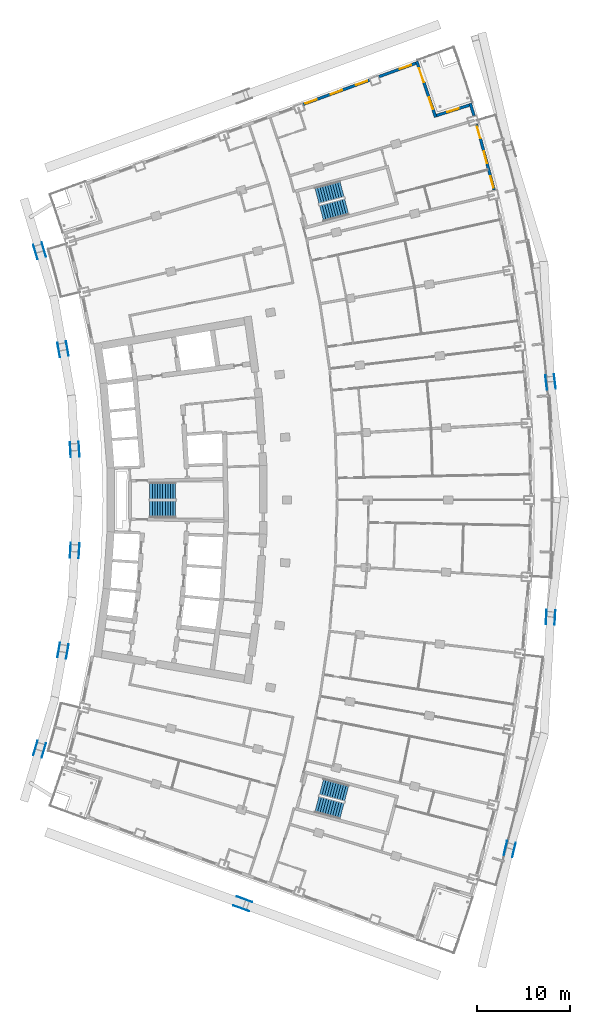
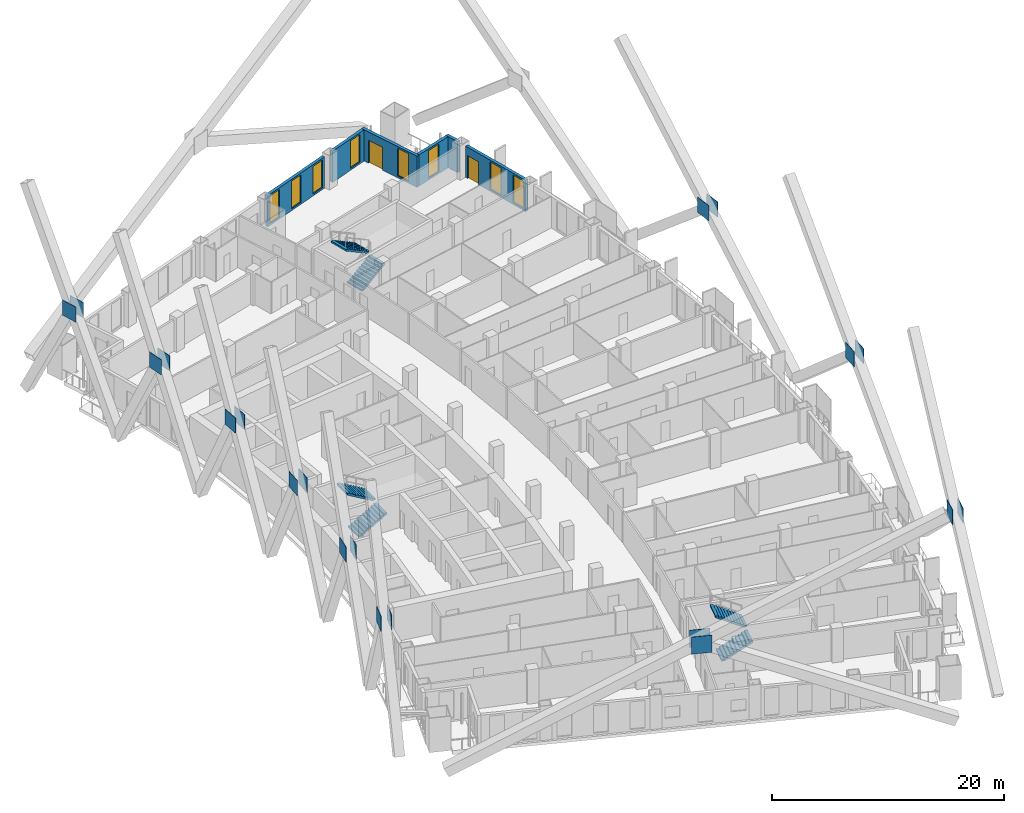
# One storey, part 22 of 26: 20 discrete accessories, 8 windows, 6 stair flights, 6 walls, 2 doors, 10 openings, 3 elements without a shape of their own.
"""IFC4 building model written with IfcOpenShell, lengths in metres."""

from ifc_helpers import new_model, si_unit, direction, frame, frame_2d, origin, origin_2d, place, context, subcontext, project, spatial, polyline, rectangle, outline, extrude, material, layer, layer_set, material_profile, profile_set, type_object, element, fill, aggregate, save


model = new_model("IFC4")

# Units and contexts
model_context = context("Model", 3, precision=1e-05, world=origin(), true_north=direction((0.0, 1.0)))
body_context = subcontext(model_context, "Body", "Model", "MODEL_VIEW")
ifc_project = project(units=[si_unit("LENGTHUNIT", "METRE"), si_unit("AREAUNIT", "SQUARE_METRE"), si_unit("VOLUMEUNIT", "CUBIC_METRE"), si_unit("PLANEANGLEUNIT", "RADIAN"), si_unit("MASSUNIT", "GRAM", prefix="KILO")], contexts=[model_context])

# Site, building, storey
site_placement = place(None, origin())
site = spatial("IfcSite", under=ifc_project, at=site_placement, CompositionType="ELEMENT")
building_placement = place(site_placement, origin())
building = spatial("IfcBuilding", under=site, at=building_placement, Name="Alderwake Tower", CompositionType="ELEMENT")
storey_placement = place(building_placement, frame((0.0, 0.0, 82.39990234375)))
storey = spatial("IfcBuildingStorey", under=building, at=storey_placement, Name="L19", CompositionType="ELEMENT", Elevation=82.39990234375)

# Wall, openings, door, windows
ifc_material_1 = material(Name="Precast concrete C50/60 spandrel panel", Category="concrete")
ifc_layer_1 = layer(ifc_material_1, 0.300048828125)
ifc_layer_set_1 = layer_set([ifc_layer_1], Name="External wall EW1 Precast concrete C50/60 spandrel")
wall_type_1 = type_object("IfcWallType", Name="External wall EW1 Precast concrete C50/60 spandrel", PredefinedType="SOLIDWALL", material=ifc_layer_set_1)
wall_1_placement = place(storey_placement, frame((58.071044921875, 94.326904296875, 0.0), z_axis=(0.0, 0.0, 1.0), x_axis=(-0.259478431082, 0.965748903082, 0.0)))
wall_1 = element("IfcWall", 1, at=wall_1_placement, inside=storey, type_object=wall_type_1, Name="External wall 21", PredefinedType="SOLIDWALL", context=body_context, shape_type="SweptSolid", body=[
    extrude(rectangle(XDim=7.287109375, YDim=0.300048828125, at=frame_2d((3.6435546875, 0.0))), origin(), (0.0, 0.0, 1.0), 3.280029296875),
])
opening_1_placement = place(wall_1_placement, frame((0.23681640625, 0.0, 0.199951171875)))
opening_1 = element("IfcOpeningElement", 2, at=opening_1_placement, cuts=wall_1, Name="Opening W1", PredefinedType="OPENING", context=body_context, shape_type="SweptSolid", body=[
    extrude(rectangle(XDim=1.300048828125, YDim=2.89990234375, at=frame_2d((0.64990234375, 1.449951171875))), frame((0.0, 0.159912109375, 0.0), z_axis=(0.0, -1.0, 0.0), x_axis=(1.0, 0.0, 0.0)), (0.0, 0.0, 1.0), 0.320068359375),
])
opening_2_placement = place(wall_1_placement, frame((2.99365234375, 0.0, 0.199951171875)))
opening_2 = element("IfcOpeningElement", 3, at=opening_2_placement, cuts=wall_1, Name="Opening W1", PredefinedType="OPENING", context=body_context, shape_type="SweptSolid", body=[
    extrude(rectangle(XDim=1.300048828125, YDim=2.89990234375, at=frame_2d((0.64990234375, 1.449951171875))), frame((0.0, 0.159912109375, 0.0), z_axis=(0.0, -1.0, 0.0), x_axis=(1.0, 0.0, 0.0)), (0.0, 0.0, 1.0), 0.320068359375),
])
opening_3_placement = place(wall_1_placement, frame((5.75048828125, 0.0, 0.0)))
opening_3 = element("IfcOpeningElement", 4, at=opening_3_placement, cuts=wall_1, Name="Opening D11", PredefinedType="OPENING", context=body_context, shape_type="SweptSolid", body=[
    extrude(rectangle(XDim=1.300048828125, YDim=2.39990234375, at=frame_2d((0.64990234375, 1.199951171875))), frame((0.0, 0.159912109375, 0.0), z_axis=(0.0, -1.0, 0.0), x_axis=(1.0, 0.0, 0.0)), (0.0, 0.0, 1.0), 0.320068359375),
])
ifc_material_2 = material(Name="Bronze tinted glass in aluminium frame", Category="aluminium")
door_type_1 = type_object("IfcDoorType", Name="Balcony door BD sliding", OperationType="SLIDING_TO_LEFT", PredefinedType="DOOR", material=ifc_material_2)
door_1_placement = place(opening_3_placement, origin())
door_1 = element("IfcDoor", 5, at=door_1_placement, inside=storey, type_object=door_type_1, Name="Door D11", OperationType="SLIDING_TO_LEFT", OverallHeight=2.39990234375, OverallWidth=1.300048828125, PredefinedType="DOOR", context=body_context, shape_type="SweptSolid", body=[
    extrude(rectangle(XDim=1.300048828125, YDim=2.39990234375, at=frame_2d((0.64990234375, 1.199951171875))), frame((0.0, 0.02490234375, 0.0), z_axis=(0.0, -1.0, 0.0), x_axis=(1.0, 0.0, 0.0)), (0.0, 0.0, 1.0), 0.050048828125),
])
fill(opening_3, door_1)
ifc_material_3 = material(Name="Bronze tinted glass in aluminium frame", Category="aluminium")
window_type = type_object("IfcWindowType", Name="Window W1 tall fixed and vent", PartitioningType="DOUBLE_PANEL_VERTICAL", PredefinedType="WINDOW", material=ifc_material_3)
window_1_placement = place(opening_1_placement, origin())
window_1 = element("IfcWindow", 6, at=window_1_placement, inside=storey, type_object=window_type, Name="Window W1 tall fixed and vent", OverallHeight=2.89990234375, OverallWidth=1.300048828125, PartitioningType="DOUBLE_PANEL_VERTICAL", PredefinedType="WINDOW", context=body_context, shape_type="SweptSolid", body=[
    extrude(rectangle(XDim=1.300048828125, YDim=2.89990234375, at=frame_2d((0.64990234375, 1.449951171875))), frame((0.0, 0.030029296875, 0.0), z_axis=(0.0, -1.0, 0.0), x_axis=(1.0, 0.0, 0.0)), (0.0, 0.0, 1.0), 0.06005859375),
])
fill(opening_1, window_1)
window_2_placement = place(opening_2_placement, origin())
window_2 = element("IfcWindow", 7, at=window_2_placement, inside=storey, type_object=window_type, Name="Window W1 tall fixed and vent", OverallHeight=2.89990234375, OverallWidth=1.300048828125, PartitioningType="DOUBLE_PANEL_VERTICAL", PredefinedType="WINDOW", context=body_context, shape_type="SweptSolid", body=[
    extrude(rectangle(XDim=1.300048828125, YDim=2.89990234375, at=frame_2d((0.64990234375, 1.449951171875))), frame((0.0, 0.030029296875, 0.0), z_axis=(0.0, -1.0, 0.0), x_axis=(1.0, 0.0, 0.0)), (0.0, 0.0, 1.0), 0.06005859375),
])
fill(opening_2, window_2)

# Wall
wall_2_placement = place(storey_placement, frame((55.908935546875, 102.305908203125, 0.0), z_axis=(0.0, 0.0, 1.0), x_axis=(-0.294394228908, 0.955684068082, 0.0)))
element("IfcWall", 8, at=wall_2_placement, inside=storey, type_object=wall_type_1, Name="External wall 22", PredefinedType="SOLIDWALL", context=body_context, shape_type="SweptSolid", body=[
    extrude(rectangle(XDim=1.390625, YDim=0.300048828125, at=frame_2d((0.6953125, 0.0))), origin(), (0.0, 0.0, 1.0), 3.280029296875),
])

# Wall, opening, window
ifc_material_4 = material(Name="Bronze metal cladding on lightweight framing")
ifc_layer_2 = layer(ifc_material_4, 0.300048828125)
ifc_layer_set_2 = layer_set([ifc_layer_2], Name="External wall EW2 bronze metal cladding")
wall_type_2 = type_object("IfcWallType", Name="External wall EW2 bronze metal cladding", PredefinedType="SOLIDWALL", material=ifc_layer_set_2)
wall_3_placement = place(storey_placement, frame((55.400634765625, 103.4462890625, 0.0), z_axis=(0.0, 0.0, 1.0), x_axis=(-0.953472737628, -0.301479250697, 0.0)))
wall_3 = element("IfcWall", 9, at=wall_3_placement, inside=storey, type_object=wall_type_2, Name="External wall 23", PredefinedType="SOLIDWALL", context=body_context, shape_type="SweptSolid", body=[
    extrude(rectangle(XDim=3.6943359375, YDim=0.300048828125, at=frame_2d((1.84716796875, 0.0))), origin(), (0.0, 0.0, 1.0), 3.280029296875),
])
opening_4_placement = place(wall_3_placement, frame((1.197265625, 0.0, 0.199951171875)))
opening_4 = element("IfcOpeningElement", 10, at=opening_4_placement, cuts=wall_3, Name="Opening W1", PredefinedType="OPENING", context=body_context, shape_type="SweptSolid", body=[
    extrude(rectangle(XDim=1.300048828125, YDim=2.89990234375, at=frame_2d((0.64990234375, 1.449951171875))), frame((0.0, 0.159912109375, 0.0), z_axis=(0.0, -1.0, 0.0), x_axis=(1.0, 0.0, 0.0)), (0.0, 0.0, 1.0), 0.320068359375),
])
window_3_placement = place(opening_4_placement, origin())
window_3 = element("IfcWindow", 11, at=window_3_placement, inside=storey, type_object=window_type, Name="Window W1 tall fixed and vent", OverallHeight=2.89990234375, OverallWidth=1.300048828125, PartitioningType="DOUBLE_PANEL_VERTICAL", PredefinedType="WINDOW", context=body_context, shape_type="SweptSolid", body=[
    extrude(rectangle(XDim=1.300048828125, YDim=2.89990234375, at=frame_2d((0.64990234375, 1.449951171875))), frame((0.0, 0.030029296875, 0.0), z_axis=(0.0, -1.0, 0.0), x_axis=(1.0, 0.0, 0.0)), (0.0, 0.0, 1.0), 0.06005859375),
])
fill(opening_4, window_3)

# Wall, openings, door, window
wall_4_placement = place(storey_placement, frame((51.783203125, 102.145263671875, 0.0), z_axis=(0.0, 0.0, 1.0), x_axis=(-0.320891734408, 0.94711588245, 0.0)))
wall_4 = element("IfcWall", 12, at=wall_4_placement, inside=storey, type_object=wall_type_2, Name="External wall 24", PredefinedType="SOLIDWALL", context=body_context, shape_type="SweptSolid", body=[
    extrude(rectangle(XDim=6.339111328125, YDim=0.300048828125, at=frame_2d((3.16943359375, 0.0))), origin(), (0.0, 0.0, 1.0), 3.280029296875),
])
opening_5_placement = place(wall_4_placement, frame((0.934814453125, 0.0, 0.199951171875)))
opening_5 = element("IfcOpeningElement", 13, at=opening_5_placement, cuts=wall_4, Name="Opening W1", PredefinedType="OPENING", context=body_context, shape_type="SweptSolid", body=[
    extrude(rectangle(XDim=1.300048828125, YDim=2.89990234375, at=frame_2d((0.64990234375, 1.449951171875))), frame((0.0, 0.159912109375, 0.0), z_axis=(0.0, -1.0, 0.0), x_axis=(1.0, 0.0, 0.0)), (0.0, 0.0, 1.0), 0.320068359375),
])
opening_6_placement = place(wall_4_placement, frame((3.954345703125, 0.0, 0.0)))
opening_6 = element("IfcOpeningElement", 14, at=opening_6_placement, cuts=wall_4, Name="Opening D12", PredefinedType="OPENING", context=body_context, shape_type="SweptSolid", body=[
    extrude(rectangle(XDim=1.60009765625, YDim=2.39990234375, at=frame_2d((0.800048828125, 1.199951171875))), frame((0.0, 0.159912109375, 0.0), z_axis=(0.0, -1.0, 0.0), x_axis=(1.0, 0.0, 0.0)), (0.0, 0.0, 1.0), 0.320068359375),
])
ifc_material_5 = material(Name="Bronze tinted glass in aluminium frame", Category="aluminium")
door_type_2 = type_object("IfcDoorType", Name="Terrace door TD sliding", OperationType="SLIDING_TO_LEFT", PredefinedType="DOOR", material=ifc_material_5)
door_2_placement = place(opening_6_placement, origin())
door_2 = element("IfcDoor", 15, at=door_2_placement, inside=storey, type_object=door_type_2, Name="Door D12", OperationType="SLIDING_TO_LEFT", OverallHeight=2.39990234375, OverallWidth=1.60009765625, PredefinedType="DOOR", context=body_context, shape_type="SweptSolid", body=[
    extrude(rectangle(XDim=1.60009765625, YDim=2.39990234375, at=frame_2d((0.800048828125, 1.199951171875))), frame((0.0, 0.02490234375, 0.0), z_axis=(0.0, -1.0, 0.0), x_axis=(1.0, 0.0, 0.0)), (0.0, 0.0, 1.0), 0.050048828125),
])
fill(opening_6, door_2)
window_4_placement = place(opening_5_placement, origin())
window_4 = element("IfcWindow", 16, at=window_4_placement, inside=storey, type_object=window_type, Name="Window W1 tall fixed and vent", OverallHeight=2.89990234375, OverallWidth=1.300048828125, PartitioningType="DOUBLE_PANEL_VERTICAL", PredefinedType="WINDOW", context=body_context, shape_type="SweptSolid", body=[
    extrude(rectangle(XDim=1.300048828125, YDim=2.89990234375, at=frame_2d((0.64990234375, 1.449951171875))), frame((0.0, 0.030029296875, 0.0), z_axis=(0.0, -1.0, 0.0), x_axis=(1.0, 0.0, 0.0)), (0.0, 0.0, 1.0), 0.06005859375),
])
fill(opening_5, window_4)

# Wall, opening, window
wall_5_placement = place(storey_placement, frame((49.656494140625, 107.95556640625, 0.0), z_axis=(0.0, 0.0, 1.0), x_axis=(-0.93937558232, -0.342889946398, 0.0)))
wall_5 = element("IfcWall", 17, at=wall_5_placement, inside=storey, type_object=wall_type_2, Name="External wall 25", PredefinedType="SOLIDWALL", context=body_context, shape_type="SweptSolid", body=[
    extrude(rectangle(XDim=4.23779296875, YDim=0.300048828125, at=frame_2d((2.118896484375, 0.0))), origin(), (0.0, 0.0, 1.0), 3.280029296875),
])
opening_7_placement = place(wall_5_placement, frame((0.541259765625, 0.0, 0.199951171875)))
opening_7 = element("IfcOpeningElement", 18, at=opening_7_placement, cuts=wall_5, Name="Opening W1", PredefinedType="OPENING", context=body_context, shape_type="SweptSolid", body=[
    extrude(rectangle(XDim=1.300048828125, YDim=2.89990234375, at=frame_2d((0.64990234375, 1.449951171875))), frame((0.0, 0.159912109375, 0.0), z_axis=(0.0, -1.0, 0.0), x_axis=(1.0, 0.0, 0.0)), (0.0, 0.0, 1.0), 0.320068359375),
])
window_5_placement = place(opening_7_placement, origin())
window_5 = element("IfcWindow", 19, at=window_5_placement, inside=storey, type_object=window_type, Name="Window W1 tall fixed and vent", OverallHeight=2.89990234375, OverallWidth=1.300048828125, PartitioningType="DOUBLE_PANEL_VERTICAL", PredefinedType="WINDOW", context=body_context, shape_type="SweptSolid", body=[
    extrude(rectangle(XDim=1.300048828125, YDim=2.89990234375, at=frame_2d((0.64990234375, 1.449951171875))), frame((0.0, 0.030029296875, 0.0), z_axis=(0.0, -1.0, 0.0), x_axis=(1.0, 0.0, 0.0)), (0.0, 0.0, 1.0), 0.06005859375),
])
fill(opening_7, window_5)

# Wall, openings, windows
wall_6_placement = place(storey_placement, frame((44.685546875, 106.14111328125, 0.0), z_axis=(0.0, 0.0, 1.0), x_axis=(-0.939373225656, -0.342896402606, 0.0)))
wall_6 = element("IfcWall", 20, at=wall_6_placement, inside=storey, type_object=wall_type_2, Name="External wall 26", PredefinedType="SOLIDWALL", context=body_context, shape_type="SweptSolid", body=[
    extrude(rectangle(XDim=7.612548828125, YDim=0.300048828125, at=frame_2d((3.80615234375, 0.0))), origin(), (0.0, 0.0, 1.0), 3.280029296875),
])
opening_8_placement = place(wall_6_placement, frame((0.267578125, 0.0, 0.199951171875)))
opening_8 = element("IfcOpeningElement", 21, at=opening_8_placement, cuts=wall_6, Name="Opening W1", PredefinedType="OPENING", context=body_context, shape_type="SweptSolid", body=[
    extrude(rectangle(XDim=1.300048828125, YDim=2.89990234375, at=frame_2d((0.64990234375, 1.449951171875))), frame((0.0, 0.159912109375, 0.0), z_axis=(0.0, -1.0, 0.0), x_axis=(1.0, 0.0, 0.0)), (0.0, 0.0, 1.0), 0.320068359375),
])
opening_9_placement = place(wall_6_placement, frame((3.156494140625, 0.0, 0.199951171875)))
opening_9 = element("IfcOpeningElement", 22, at=opening_9_placement, cuts=wall_6, Name="Opening W1", PredefinedType="OPENING", context=body_context, shape_type="SweptSolid", body=[
    extrude(rectangle(XDim=1.300048828125, YDim=2.89990234375, at=frame_2d((0.64990234375, 1.449951171875))), frame((0.0, 0.159912109375, 0.0), z_axis=(0.0, -1.0, 0.0), x_axis=(1.0, 0.0, 0.0)), (0.0, 0.0, 1.0), 0.320068359375),
])
opening_10_placement = place(wall_6_placement, frame((6.04541015625, 0.0, 0.199951171875)))
opening_10 = element("IfcOpeningElement", 23, at=opening_10_placement, cuts=wall_6, Name="Opening W1", PredefinedType="OPENING", context=body_context, shape_type="SweptSolid", body=[
    extrude(rectangle(XDim=1.300048828125, YDim=2.89990234375, at=frame_2d((0.64990234375, 1.449951171875))), frame((0.0, 0.159912109375, 0.0), z_axis=(0.0, -1.0, 0.0), x_axis=(1.0, 0.0, 0.0)), (0.0, 0.0, 1.0), 0.320068359375),
])
window_6_placement = place(opening_8_placement, origin())
window_6 = element("IfcWindow", 24, at=window_6_placement, inside=storey, type_object=window_type, Name="Window W1 tall fixed and vent", OverallHeight=2.89990234375, OverallWidth=1.300048828125, PartitioningType="DOUBLE_PANEL_VERTICAL", PredefinedType="WINDOW", context=body_context, shape_type="SweptSolid", body=[
    extrude(rectangle(XDim=1.300048828125, YDim=2.89990234375, at=frame_2d((0.64990234375, 1.449951171875))), frame((0.0, 0.030029296875, 0.0), z_axis=(0.0, -1.0, 0.0), x_axis=(1.0, 0.0, 0.0)), (0.0, 0.0, 1.0), 0.06005859375),
])
fill(opening_8, window_6)
window_7_placement = place(opening_9_placement, origin())
window_7 = element("IfcWindow", 25, at=window_7_placement, inside=storey, type_object=window_type, Name="Window W1 tall fixed and vent", OverallHeight=2.89990234375, OverallWidth=1.300048828125, PartitioningType="DOUBLE_PANEL_VERTICAL", PredefinedType="WINDOW", context=body_context, shape_type="SweptSolid", body=[
    extrude(rectangle(XDim=1.300048828125, YDim=2.89990234375, at=frame_2d((0.64990234375, 1.449951171875))), frame((0.0, 0.030029296875, 0.0), z_axis=(0.0, -1.0, 0.0), x_axis=(1.0, 0.0, 0.0)), (0.0, 0.0, 1.0), 0.06005859375),
])
fill(opening_9, window_7)
window_8_placement = place(opening_10_placement, origin())
window_8 = element("IfcWindow", 26, at=window_8_placement, inside=storey, type_object=window_type, Name="Window W1 tall fixed and vent", OverallHeight=2.89990234375, OverallWidth=1.300048828125, PartitioningType="DOUBLE_PANEL_VERTICAL", PredefinedType="WINDOW", context=body_context, shape_type="SweptSolid", body=[
    extrude(rectangle(XDim=1.300048828125, YDim=2.89990234375, at=frame_2d((0.64990234375, 1.449951171875))), frame((0.0, 0.030029296875, 0.0), z_axis=(0.0, -1.0, 0.0), x_axis=(1.0, 0.0, 0.0)), (0.0, 0.0, 1.0), 0.06005859375),
])
fill(opening_10, window_8)

# Stair, stair flights
ifc_material_6 = material(Name="Concrete C40/50", Category="concrete")
stair_type = type_object("IfcStairType", Name="Core exit stair", PredefinedType="HALF_TURN_STAIR", material=ifc_material_6)
stair_1_placement = place(storey_placement, origin())
stair_1 = element("IfcStair", 27, at=stair_1_placement, inside=storey, type_object=stair_type, Name="L19 Exit Stair B", PredefinedType="HALF_TURN_STAIR")
ifc_material_7 = material(Name="Concrete C40/50", Category="concrete")
ifc_layer_3 = layer(ifc_material_7, 0.14990234375)
ifc_layer_set_3 = layer_set([ifc_layer_3], Name="Core stair flight")
stair_flight_type = type_object("IfcStairFlightType", Name="Core stair flight", PredefinedType="STRAIGHT", material=ifc_layer_set_3)
stair_flight_1_placement = place(storey_placement, frame((21.0400390625, 60.02490234375, 0.0), z_axis=(0.0, 0.0, 1.0), x_axis=(1.0, 0.0, 0.0)))
stair_flight_1 = element("IfcStairFlight", 28, at=stair_flight_1_placement, type_object=stair_flight_type, Name="ST-B flight 1", NumberOfRisers=11, NumberOfTreads=10, PredefinedType="STRAIGHT", RiserHeight=0.163636364, TreadLength=0.28, context=body_context, shape_type="SweptSolid", body=[
    extrude(outline(polyline([(0.0, 0.0), (0.0, 0.16357421875), (0.280029296875, 0.16357421875), (0.280029296875, 0.327392578125), (0.56005859375, 0.327392578125), (0.56005859375, 0.490966796875), (0.840087890625, 0.490966796875), (0.840087890625, 0.654541015625), (1.1201171875, 0.654541015625), (1.1201171875, 0.818115234375), (1.39990234375, 0.818115234375), (1.39990234375, 0.98193359375), (1.679931640625, 0.98193359375), (1.679931640625, 1.1455078125), (1.9599609375, 1.1455078125), (1.9599609375, 1.30908203125), (2.239990234375, 1.30908203125), (2.239990234375, 1.47265625), (2.52001953125, 1.47265625), (2.52001953125, 1.636474609375), (2.800048828125, 1.636474609375), (2.800048828125, 1.800048828125), (2.800048828125, 1.462646484375), (0.297119140625, 0.0), (0.0, 0.0)])), frame((0.0, 0.89990234375, 0.0), z_axis=(0.0, -1.0, 0.0), x_axis=(1.0, 0.0, 0.0)), (0.0, 0.0, 1.0), 1.800048828125),
])
stair_flight_2_placement = place(storey_placement, frame((23.840087890625, 61.97509765625, 1.800048828125), z_axis=(0.0, 0.0, 1.0), x_axis=(-1.0, 0.0, 0.0)))
stair_flight_2 = element("IfcStairFlight", 29, at=stair_flight_2_placement, type_object=stair_flight_type, Name="ST-B flight 2", NumberOfRisers=11, NumberOfTreads=10, PredefinedType="STRAIGHT", RiserHeight=0.163636364, TreadLength=0.28, context=body_context, shape_type="SweptSolid", body=[
    extrude(outline(polyline([(0.0, 0.0), (0.0, 0.16357421875), (0.280029296875, 0.16357421875), (0.280029296875, 0.327392578125), (0.56005859375, 0.327392578125), (0.56005859375, 0.490966796875), (0.840087890625, 0.490966796875), (0.840087890625, 0.654541015625), (1.1201171875, 0.654541015625), (1.1201171875, 0.818115234375), (1.39990234375, 0.818115234375), (1.39990234375, 0.98193359375), (1.679931640625, 0.98193359375), (1.679931640625, 1.1455078125), (1.9599609375, 1.1455078125), (1.9599609375, 1.30908203125), (2.239990234375, 1.30908203125), (2.239990234375, 1.47265625), (2.52001953125, 1.47265625), (2.52001953125, 1.636474609375), (2.800048828125, 1.636474609375), (2.800048828125, 1.800048828125), (2.800048828125, 1.462646484375), (0.297119140625, 0.0), (0.0, 0.0)])), frame((0.0, 0.89990234375, 0.0), z_axis=(0.0, -1.0, 0.0), x_axis=(1.0, 0.0, 0.0)), (0.0, 0.0, 1.0), 1.800048828125),
])
aggregate(stair_1, [stair_flight_1, stair_flight_2])

stair_2_placement = place(storey_placement, origin())
stair_2 = element("IfcStair", 30, at=stair_2_placement, inside=storey, type_object=stair_type, Name="L19 Exit Stair A", PredefinedType="HALF_TURN_STAIR")
stair_flight_3_placement = place(storey_placement, frame((39.512939453125, 91.823974609375, 0.0), z_axis=(0.0, 0.0, 1.0), x_axis=(0.966309627437, 0.257382407951, 0.0)))
stair_flight_3 = element("IfcStairFlight", 31, at=stair_flight_3_placement, type_object=stair_flight_type, Name="ST-A flight 1", NumberOfRisers=11, NumberOfTreads=10, PredefinedType="STRAIGHT", RiserHeight=0.163636364, TreadLength=0.28, context=body_context, shape_type="SweptSolid", body=[
    extrude(outline(polyline([(0.0, 0.0), (0.0, 0.16357421875), (0.280029296875, 0.16357421875), (0.280029296875, 0.327392578125), (0.56005859375, 0.327392578125), (0.56005859375, 0.490966796875), (0.840087890625, 0.490966796875), (0.840087890625, 0.654541015625), (1.1201171875, 0.654541015625), (1.1201171875, 0.818115234375), (1.39990234375, 0.818115234375), (1.39990234375, 0.98193359375), (1.679931640625, 0.98193359375), (1.679931640625, 1.1455078125), (1.9599609375, 1.1455078125), (1.9599609375, 1.30908203125), (2.239990234375, 1.30908203125), (2.239990234375, 1.47265625), (2.52001953125, 1.47265625), (2.52001953125, 1.636474609375), (2.800048828125, 1.636474609375), (2.800048828125, 1.800048828125), (2.800048828125, 1.462646484375), (0.297119140625, 0.0), (0.0, 0.0)])), frame((0.0, 0.89990234375, 0.0), z_axis=(0.0, -1.0, 0.0), x_axis=(1.0, 0.0, 0.0)), (0.0, 0.0, 1.0), 1.800048828125),
])
stair_flight_4_placement = place(storey_placement, frame((41.716796875, 94.428955078125, 1.800048828125), z_axis=(0.0, 0.0, 1.0), x_axis=(-0.966309627437, -0.257382407951, 0.0)))
stair_flight_4 = element("IfcStairFlight", 32, at=stair_flight_4_placement, type_object=stair_flight_type, Name="ST-A flight 2", NumberOfRisers=11, NumberOfTreads=10, PredefinedType="STRAIGHT", RiserHeight=0.163636364, TreadLength=0.28, context=body_context, shape_type="SweptSolid", body=[
    extrude(outline(polyline([(0.0, 0.0), (0.0, 0.16357421875), (0.280029296875, 0.16357421875), (0.280029296875, 0.327392578125), (0.56005859375, 0.327392578125), (0.56005859375, 0.490966796875), (0.840087890625, 0.490966796875), (0.840087890625, 0.654541015625), (1.1201171875, 0.654541015625), (1.1201171875, 0.818115234375), (1.39990234375, 0.818115234375), (1.39990234375, 0.98193359375), (1.679931640625, 0.98193359375), (1.679931640625, 1.1455078125), (1.9599609375, 1.1455078125), (1.9599609375, 1.30908203125), (2.239990234375, 1.30908203125), (2.239990234375, 1.47265625), (2.52001953125, 1.47265625), (2.52001953125, 1.636474609375), (2.800048828125, 1.636474609375), (2.800048828125, 1.800048828125), (2.800048828125, 1.462646484375), (0.297119140625, 0.0), (0.0, 0.0)])), frame((0.0, 0.89990234375, 0.0), z_axis=(0.0, -1.0, 0.0), x_axis=(1.0, 0.0, 0.0)), (0.0, 0.0, 1.0), 1.800048828125),
])
aggregate(stair_2, [stair_flight_3, stair_flight_4])

stair_3_placement = place(storey_placement, origin())
stair_3 = element("IfcStair", 33, at=stair_3_placement, inside=storey, type_object=stair_type, Name="L19 Exit Stair C", PredefinedType="HALF_TURN_STAIR")
stair_flight_5_placement = place(storey_placement, frame((39.010986328125, 28.291748046875, 0.0), z_axis=(0.0, 0.0, 1.0), x_axis=(0.966309627437, -0.257382407951, 0.0)))
stair_flight_5 = element("IfcStairFlight", 34, at=stair_flight_5_placement, type_object=stair_flight_type, Name="ST-C flight 1", NumberOfRisers=11, NumberOfTreads=10, PredefinedType="STRAIGHT", RiserHeight=0.163636364, TreadLength=0.28, context=body_context, shape_type="SweptSolid", body=[
    extrude(outline(polyline([(0.0, 0.0), (0.0, 0.16357421875), (0.280029296875, 0.16357421875), (0.280029296875, 0.327392578125), (0.56005859375, 0.327392578125), (0.56005859375, 0.490966796875), (0.840087890625, 0.490966796875), (0.840087890625, 0.654541015625), (1.1201171875, 0.654541015625), (1.1201171875, 0.818115234375), (1.39990234375, 0.818115234375), (1.39990234375, 0.98193359375), (1.679931640625, 0.98193359375), (1.679931640625, 1.1455078125), (1.9599609375, 1.1455078125), (1.9599609375, 1.30908203125), (2.239990234375, 1.30908203125), (2.239990234375, 1.47265625), (2.52001953125, 1.47265625), (2.52001953125, 1.636474609375), (2.800048828125, 1.636474609375), (2.800048828125, 1.800048828125), (2.800048828125, 1.462646484375), (0.297119140625, 0.0), (0.0, 0.0)])), frame((0.0, 0.89990234375, 0.0), z_axis=(0.0, -1.0, 0.0), x_axis=(1.0, 0.0, 0.0)), (0.0, 0.0, 1.0), 1.800048828125),
])
stair_flight_6_placement = place(storey_placement, frame((42.218505859375, 29.455322265625, 1.800048828125), z_axis=(0.0, 0.0, 1.0), x_axis=(-0.966309627437, 0.257382407951, 0.0)))
stair_flight_6 = element("IfcStairFlight", 35, at=stair_flight_6_placement, type_object=stair_flight_type, Name="ST-C flight 2", NumberOfRisers=11, NumberOfTreads=10, PredefinedType="STRAIGHT", RiserHeight=0.163636364, TreadLength=0.28, context=body_context, shape_type="SweptSolid", body=[
    extrude(outline(polyline([(0.0, 0.0), (0.0, 0.16357421875), (0.280029296875, 0.16357421875), (0.280029296875, 0.327392578125), (0.56005859375, 0.327392578125), (0.56005859375, 0.490966796875), (0.840087890625, 0.490966796875), (0.840087890625, 0.654541015625), (1.1201171875, 0.654541015625), (1.1201171875, 0.818115234375), (1.39990234375, 0.818115234375), (1.39990234375, 0.98193359375), (1.679931640625, 0.98193359375), (1.679931640625, 1.1455078125), (1.9599609375, 1.1455078125), (1.9599609375, 1.30908203125), (2.239990234375, 1.30908203125), (2.239990234375, 1.47265625), (2.52001953125, 1.47265625), (2.52001953125, 1.636474609375), (2.800048828125, 1.636474609375), (2.800048828125, 1.800048828125), (2.800048828125, 1.462646484375), (0.297119140625, 0.0), (0.0, 0.0)])), frame((0.0, 0.89990234375, 0.0), z_axis=(0.0, -1.0, 0.0), x_axis=(1.0, 0.0, 0.0)), (0.0, 0.0, 1.0), 1.800048828125),
])
aggregate(stair_3, [stair_flight_5, stair_flight_6])

# Discrete accessories
ifc_material_8 = material(Name="Steel ASTM A572 Grade 50", Category="steel")
ifc_material_profile_1 = material_profile(ifc_material_8, rectangle(XDim=1.60009765625, YDim=1.60009765625, at=origin_2d()), Name="gusset 1600X1600")
ifc_profile_set_1 = profile_set([ifc_material_profile_1], Name="Steel ASTM A572 Grade 50")
discrete_accessory_type_1 = type_object("IfcDiscreteAccessoryType", Name="Gusset plate 1600X1600X40", PredefinedType="USERDEFINED", material=ifc_profile_set_1)
for number, where, z_axis, x_axis, name in (
    (36, (60.1787109375, 23.385009765625, 10.800048828125), (0.972608962829, -0.232447425079, 0.0), (0.232447425079, 0.972608962829, 0.0), "Gusset plate BRF2.1.1B outer"),
    (37, (59.302490234375, 23.591064453125, 10.800048828125), (-0.973976588012, 0.226648639978, 0.0), (-0.226648639978, -0.973976588012, 0.0), "Gusset plate BRF2.1.1B inner"),
):
    element("IfcDiscreteAccessory", number, at=place(storey_placement, frame(where, z_axis=z_axis, x_axis=x_axis)), inside=storey, type_object=discrete_accessory_type_1, Name=name, ObjectType="GUSSET PLATE", PredefinedType="USERDEFINED", context=body_context, shape_type="SweptSolid", body=[
        extrude(rectangle(XDim=1.60009765625, YDim=1.60009765625, at=origin_2d()), origin(), (0.0, 0.0, 1.0), 0.039794921875),
    ])
for number, where, z_axis, x_axis, name in (
    (38, (64.586669921875, 48.36572265625, 10.800048828125), (0.998497592519, -0.054795599589, 0.0), (0.054795599589, 0.998497592519, 0.0), "Gusset plate BRF2.1.4B outer"),
    (39, (63.688232421875, 48.416015625, 10.800048828125), (-0.998497592519, 0.054795599589, 0.0), (-0.054795599589, -0.998497592519, 0.0), "Gusset plate BRF2.1.4B inner"),
    (40, (64.578125, 73.732421875, 10.800048828125), (0.993274823804, 0.115780500934, 0.0), (-0.115780500934, 0.993274823804, 0.0), "Gusset plate BRF2.1.7B outer"),
    (41, (63.6845703125, 73.62548828125, 10.800048828125), (-0.993274823804, -0.115780500934, 0.0), (0.115780500934, -0.993274823804, 0.0), "Gusset plate BRF2.1.7B inner"),
    (42, (9.638671875, 34.087890625, 10.800048828125), (0.95799406309, -0.286788031626, 0.0), (0.286788031626, 0.95799406309, 0.0), "Gusset plate BRR2.1.1B outer"),
    (43, (8.776611328125, 34.3466796875, 10.800048828125), (-0.95799406309, 0.286788031626, 0.0), (-0.286788031626, -0.95799406309, 0.0), "Gusset plate BRR2.1.1B inner"),
):
    element("IfcDiscreteAccessory", number, at=place(storey_placement, frame(where, z_axis=z_axis, x_axis=x_axis)), inside=storey, type_object=discrete_accessory_type_1, Name=name, ObjectType="GUSSET PLATE", PredefinedType="USERDEFINED", context=body_context, shape_type="SweptSolid", body=[
        extrude(rectangle(XDim=1.60009765625, YDim=1.60009765625, at=origin_2d()), origin(), (0.0, 0.0, 1.0), 0.0400390625),
    ])
discrete_accessory_1_placement = place(storey_placement, frame((12.161865234375, 44.705078125, 10.800048828125), z_axis=(0.984352377506, -0.176211228072, 0.0), x_axis=(0.176211228072, 0.984352377506, 0.0)))
element("IfcDiscreteAccessory", 44, at=discrete_accessory_1_placement, inside=storey, type_object=discrete_accessory_type_1, Name="Gusset plate BRR2.1.3B outer", ObjectType="GUSSET PLATE", PredefinedType="USERDEFINED", context=body_context, shape_type="SweptSolid", body=[
    extrude(rectangle(XDim=1.60009765625, YDim=1.60009765625, at=origin_2d()), origin(), (0.0, 0.0, 1.0), 0.040283203125),
])
discrete_accessory_2_placement = place(storey_placement, frame((11.275634765625, 44.86181640625, 10.800048828125), z_axis=(-0.985389793052, 0.170314285219, 0.0), x_axis=(-0.170314285219, -0.985389793052, 0.0)))
element("IfcDiscreteAccessory", 45, at=discrete_accessory_2_placement, inside=storey, type_object=discrete_accessory_type_1, Name="Gusset plate BRR2.1.3B inner", ObjectType="GUSSET PLATE", PredefinedType="USERDEFINED", context=body_context, shape_type="SweptSolid", body=[
    extrude(rectangle(XDim=1.60009765625, YDim=1.60009765625, at=origin_2d()), origin(), (0.0, 0.0, 1.0), 0.0400390625),
])
for number, where, z_axis, x_axis, name in (
    (46, (13.43212890625, 55.543701171875, 10.800048828125), (0.99812340324, -0.061234564616, 0.0), (0.061234564616, 0.99812340324, 0.0), "Gusset plate BRR2.1.5B outer"),
    (47, (12.53369140625, 55.59619140625, 10.800048828125), (-0.998479143686, 0.055130750265, 0.0), (-0.055130750265, -0.998479143686, 0.0), "Gusset plate BRR2.1.5B inner"),
    (48, (13.43212890625, 66.456298828125, 10.800048828125), (0.99812340324, 0.061234564616, 0.0), (-0.061234564616, 0.99812340324, 0.0), "Gusset plate BRR2.1.7B outer"),
    (49, (12.53369140625, 66.40380859375, 10.800048828125), (-0.998479143686, -0.055130750265, 0.0), (0.055130750265, -0.998479143686, 0.0), "Gusset plate BRR2.1.7B inner"),
):
    element("IfcDiscreteAccessory", number, at=place(storey_placement, frame(where, z_axis=z_axis, x_axis=x_axis)), inside=storey, type_object=discrete_accessory_type_1, Name=name, ObjectType="GUSSET PLATE", PredefinedType="USERDEFINED", context=body_context, shape_type="SweptSolid", body=[
        extrude(rectangle(XDim=1.60009765625, YDim=1.60009765625, at=origin_2d()), origin(), (0.0, 0.0, 1.0), 0.039794921875),
    ])
discrete_accessory_3_placement = place(storey_placement, frame((12.161865234375, 77.294921875, 10.800048828125), z_axis=(0.984352377506, 0.176211228072, 0.0), x_axis=(-0.176211228072, 0.984352377506, 0.0)))
element("IfcDiscreteAccessory", 50, at=discrete_accessory_3_placement, inside=storey, type_object=discrete_accessory_type_1, Name="Gusset plate BRR2.1.9B outer", ObjectType="GUSSET PLATE", PredefinedType="USERDEFINED", context=body_context, shape_type="SweptSolid", body=[
    extrude(rectangle(XDim=1.60009765625, YDim=1.60009765625, at=origin_2d()), origin(), (0.0, 0.0, 1.0), 0.040283203125),
])
for number, where, z_axis, x_axis, name in (
    (51, (11.275634765625, 77.13818359375, 10.800048828125), (-0.985389793052, -0.170314285219, 0.0), (0.170314285219, -0.985389793052, 0.0), "Gusset plate BRR2.1.9B inner"),
    (52, (9.638671875, 87.912109375, 10.800048828125), (0.95799406309, 0.286788031626, 0.0), (-0.286788031626, 0.95799406309, 0.0), "Gusset plate BRR2.1.11B outer"),
    (53, (8.776611328125, 87.6533203125, 10.800048828125), (-0.95799406309, -0.286788031626, 0.0), (0.286788031626, -0.95799406309, 0.0), "Gusset plate BRR2.1.11B inner"),
):
    element("IfcDiscreteAccessory", number, at=place(storey_placement, frame(where, z_axis=z_axis, x_axis=x_axis)), inside=storey, type_object=discrete_accessory_type_1, Name=name, ObjectType="GUSSET PLATE", PredefinedType="USERDEFINED", context=body_context, shape_type="SweptSolid", body=[
        extrude(rectangle(XDim=1.60009765625, YDim=1.60009765625, at=origin_2d()), origin(), (0.0, 0.0, 1.0), 0.0400390625),
    ])
ifc_material_9 = material(Name="Steel ASTM A572 Grade 50", Category="steel")
ifc_material_profile_2 = material_profile(ifc_material_9, rectangle(XDim=1.800048828125, YDim=1.800048828125, at=origin_2d()), Name="gusset 1800X1800")
ifc_profile_set_2 = profile_set([ifc_material_profile_2], Name="Steel ASTM A572 Grade 50")
discrete_accessory_type_2 = type_object("IfcDiscreteAccessoryType", Name="Gusset plate 1800X1800X40", PredefinedType="USERDEFINED", material=ifc_profile_set_2)
for number, where, z_axis, x_axis, name in (
    (54, (30.8759765625, 17.12060546875, 10.800048828125), (-0.341743063087, -0.939793423488, 0.0), (0.939793423488, -0.341743063087, 0.0), "Gusset plate BRS2.1.0B outer"),
    (55, (31.21875, 18.06005859375, 10.800048828125), (0.341743063087, 0.939793423488, 0.0), (-0.939793423488, 0.341743063087, 0.0), "Gusset plate BRS2.1.0B inner"),
):
    element("IfcDiscreteAccessory", number, at=place(storey_placement, frame(where, z_axis=z_axis, x_axis=x_axis)), inside=storey, type_object=discrete_accessory_type_2, Name=name, ObjectType="GUSSET PLATE", PredefinedType="USERDEFINED", context=body_context, shape_type="SweptSolid", body=[
        extrude(rectangle(XDim=1.800048828125, YDim=1.800048828125, at=origin_2d()), origin(), (0.0, 0.0, 1.0), 0.0400390625),
    ])

save(model, "model.ifc")
